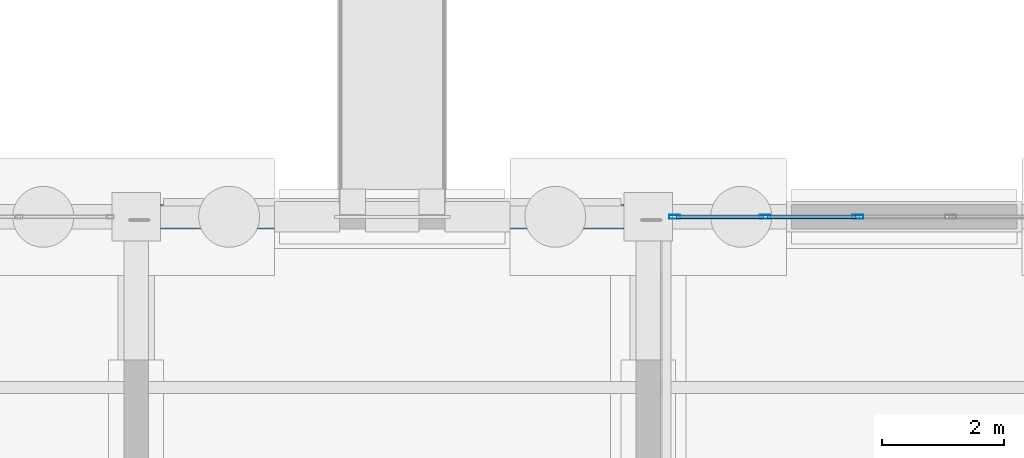
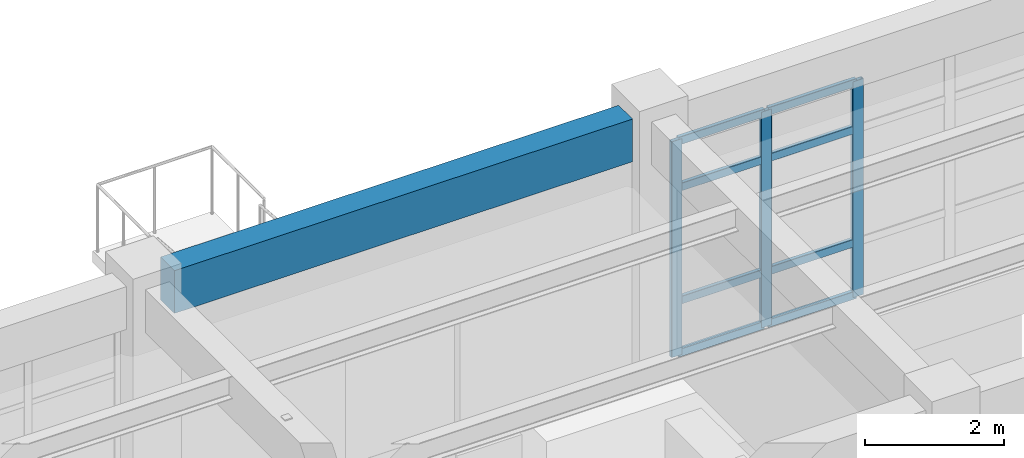
# One storey, part 30 of 111: 11 members, 1 beam, 1 element without a shape of its own.
"""IFC4 building model written with IfcOpenShell, lengths in metres."""

from ifc_helpers import new_model, si_unit, direction, frame, origin, origin_2d, place, context, subcontext, project, spatial, rectangle, hollow_rectangle, extrude, material, material_profile, profile_set, type_object, element, aggregate, save


model = new_model("IFC4")

# Units and contexts
model_context = context("Model", 3, precision=1e-05, world=origin(), true_north=direction((0.0, 1.0)))
body_context = subcontext(model_context, "Body", "Model", "MODEL_VIEW")
ifc_project = project(units=[si_unit("LENGTHUNIT", "METRE"), si_unit("AREAUNIT", "SQUARE_METRE"), si_unit("VOLUMEUNIT", "CUBIC_METRE"), si_unit("PLANEANGLEUNIT", "RADIAN"), si_unit("MASSUNIT", "GRAM", prefix="KILO")], contexts=[model_context])

# Site, building, storey
site_placement = place(None, origin())
site = spatial("IfcSite", under=ifc_project, at=site_placement, CompositionType="ELEMENT")
building_placement = place(site_placement, origin())
building = spatial("IfcBuilding", under=site, at=building_placement, Name="Canglan Escarpment Cableway Terminal", CompositionType="ELEMENT")
storey_placement = place(building_placement, frame((0.0, 0.0, 4.800048828125)))
storey = spatial("IfcBuildingStorey", under=building, at=storey_placement, Name="L01", CompositionType="ELEMENT", Elevation=4.800048828125)

# Curtain wall, members
ifc_material_1 = material(Name="Anodized bronze aluminium and Low-E double glazing", Category="aluminium")
curtain_wall_type = type_object("IfcCurtainWallType", Name="CW-BAY-7600x3775", PredefinedType="NOTDEFINED", material=ifc_material_1)
curtain_wall_placement = place(storey_placement, origin())
curtain_wall = element("IfcCurtainWall", 1, at=curtain_wall_placement, inside=storey, type_object=curtain_wall_type, Name="Classical bay-between-piers glazed curtain wall CW-09", PredefinedType="NOTDEFINED")
ifc_material_2 = material(Name="Thermally broken anodized aluminium 6063-T6", Category="aluminium")
ifc_material_profile_1 = material_profile(ifc_material_2, hollow_rectangle(XDim=0.06494140625, YDim=0.179931640625, WallThickness=0.00390625, InnerFilletRadius=0.00390625, OuterFilletRadius=0.008056640625, at=origin_2d()), Name="ALU-MULL 65x180x4")
ifc_profile_set_1 = profile_set([ifc_material_profile_1], Name="Thermally broken anodized aluminium 6063-T6")
member_type_1 = type_object("IfcMemberType", Name="CWM-03", PredefinedType="MULLION", material=ifc_profile_set_1)
member_1_placement = place(storey_placement, frame((97.239990234375, 24.800048828125, 0.0), z_axis=(0.0, 0.0, 1.0), x_axis=(0.0, -1.0, 0.0)))
member_1 = element("IfcMember", 2, at=member_1_placement, type_object=member_type_1, Name="CW-09 mullion 4", PredefinedType="MULLION", context=body_context, shape_type="SweptSolid", body=[
    extrude(hollow_rectangle(XDim=0.06494140625, YDim=0.179931640625, WallThickness=0.00390625, InnerFilletRadius=0.00390625, OuterFilletRadius=0.008056640625, at=origin_2d()), origin(), (0.0, 0.0, 1.0), 3.784912109375),
])
member_2_placement = place(storey_placement, frame((95.719970703125, 24.800048828125, 0.0), z_axis=(0.0, 0.0, 1.0), x_axis=(0.0, -1.0, 0.0)))
member_2 = element("IfcMember", 3, at=member_2_placement, type_object=member_type_1, Name="CW-09 mullion 5", PredefinedType="MULLION", context=body_context, shape_type="SweptSolid", body=[
    extrude(hollow_rectangle(XDim=0.06494140625, YDim=0.179931640625, WallThickness=0.00390625, InnerFilletRadius=0.00390625, OuterFilletRadius=0.008056640625, at=origin_2d()), origin(), (0.0, 0.0, 1.0), 3.784912109375),
])
member_3_placement = place(storey_placement, frame((94.232421875, 24.800048828125, 0.0), z_axis=(0.0, 0.0, 1.0), x_axis=(0.0, -1.0, 0.0)))
member_3 = element("IfcMember", 4, at=member_3_placement, type_object=member_type_1, Name="CW-09 mullion 6", PredefinedType="MULLION", context=body_context, shape_type="SweptSolid", body=[
    extrude(hollow_rectangle(XDim=0.06494140625, YDim=0.179931640625, WallThickness=0.00390625, InnerFilletRadius=0.00390625, OuterFilletRadius=0.008056640625, at=origin_2d()), origin(), (0.0, 0.0, 1.0), 3.784912109375),
])
ifc_material_profile_2 = material_profile(ifc_material_2, hollow_rectangle(XDim=0.06494140625, YDim=0.139892578125, WallThickness=0.00341796875, InnerFilletRadius=0.00341796875, OuterFilletRadius=0.007080078125, at=origin_2d()), Name="ALU-TRAN 65x140x3.5")
ifc_profile_set_2 = profile_set([ifc_material_profile_2], Name="Thermally broken anodized aluminium 6063-T6")
member_type_2 = type_object("IfcMemberType", Name="CWT-03", PredefinedType="USERDEFINED", material=ifc_profile_set_2)
member_4_placement = place(storey_placement, frame((97.20751953125, 24.800048828125, 0.032470703125), z_axis=(-1.0, 0.0, 0.0), x_axis=(0.0, -1.0, 0.0)))
member_4 = element("IfcMember", 5, at=member_4_placement, type_object=member_type_2, Name="CW-09 transom 4.1", ObjectType="TRANSOM", PredefinedType="USERDEFINED", context=body_context, shape_type="SweptSolid", body=[
    extrude(hollow_rectangle(XDim=0.06494140625, YDim=0.139892578125, WallThickness=0.00341796875, InnerFilletRadius=0.00341796875, OuterFilletRadius=0.007080078125, at=origin_2d()), origin(), (0.0, 0.0, 1.0), 1.455078125),
])
member_5_placement = place(storey_placement, frame((97.20751953125, 24.800048828125, 0.949951171875), z_axis=(-1.0, 0.0, 0.0), x_axis=(0.0, -1.0, 0.0)))
member_5 = element("IfcMember", 6, at=member_5_placement, type_object=member_type_2, Name="CW-09 transom 4.2", ObjectType="TRANSOM", PredefinedType="USERDEFINED", context=body_context, shape_type="SweptSolid", body=[
    extrude(hollow_rectangle(XDim=0.06494140625, YDim=0.139892578125, WallThickness=0.00341796875, InnerFilletRadius=0.00341796875, OuterFilletRadius=0.007080078125, at=origin_2d()), origin(), (0.0, 0.0, 1.0), 1.455078125),
])
member_6_placement = place(storey_placement, frame((97.20751953125, 24.800048828125, 2.93505859375), z_axis=(-1.0, 0.0, 0.0), x_axis=(0.0, -1.0, 0.0)))
member_6 = element("IfcMember", 7, at=member_6_placement, type_object=member_type_2, Name="CW-09 transom 4.3", ObjectType="TRANSOM", PredefinedType="USERDEFINED", context=body_context, shape_type="SweptSolid", body=[
    extrude(hollow_rectangle(XDim=0.06494140625, YDim=0.139892578125, WallThickness=0.00341796875, InnerFilletRadius=0.00341796875, OuterFilletRadius=0.007080078125, at=origin_2d()), origin(), (0.0, 0.0, 1.0), 1.455078125),
])
member_7_placement = place(storey_placement, frame((97.20751953125, 24.800048828125, 3.75244140625), z_axis=(-1.0, 0.0, 0.0), x_axis=(0.0, -1.0, 0.0)))
member_7 = element("IfcMember", 8, at=member_7_placement, type_object=member_type_2, Name="CW-09 transom 4.4", ObjectType="TRANSOM", PredefinedType="USERDEFINED", context=body_context, shape_type="SweptSolid", body=[
    extrude(hollow_rectangle(XDim=0.06494140625, YDim=0.139892578125, WallThickness=0.00341796875, InnerFilletRadius=0.00341796875, OuterFilletRadius=0.007080078125, at=origin_2d()), origin(), (0.0, 0.0, 1.0), 1.455078125),
])
member_8_placement = place(storey_placement, frame((95.6875, 24.800048828125, 0.032470703125), z_axis=(-1.0, 0.0, 0.0), x_axis=(0.0, -1.0, 0.0)))
member_8 = element("IfcMember", 9, at=member_8_placement, type_object=member_type_2, Name="CW-09 transom 5.1", ObjectType="TRANSOM", PredefinedType="USERDEFINED", context=body_context, shape_type="SweptSolid", body=[
    extrude(hollow_rectangle(XDim=0.06494140625, YDim=0.139892578125, WallThickness=0.00341796875, InnerFilletRadius=0.00341796875, OuterFilletRadius=0.007080078125, at=origin_2d()), origin(), (0.0, 0.0, 1.0), 1.422607421875),
])
member_9_placement = place(storey_placement, frame((95.6875, 24.800048828125, 0.949951171875), z_axis=(-1.0, 0.0, 0.0), x_axis=(0.0, -1.0, 0.0)))
member_9 = element("IfcMember", 10, at=member_9_placement, type_object=member_type_2, Name="CW-09 transom 5.2", ObjectType="TRANSOM", PredefinedType="USERDEFINED", context=body_context, shape_type="SweptSolid", body=[
    extrude(hollow_rectangle(XDim=0.06494140625, YDim=0.139892578125, WallThickness=0.00341796875, InnerFilletRadius=0.00341796875, OuterFilletRadius=0.007080078125, at=origin_2d()), origin(), (0.0, 0.0, 1.0), 1.422607421875),
])
member_10_placement = place(storey_placement, frame((95.6875, 24.800048828125, 2.93505859375), z_axis=(-1.0, 0.0, 0.0), x_axis=(0.0, -1.0, 0.0)))
member_10 = element("IfcMember", 11, at=member_10_placement, type_object=member_type_2, Name="CW-09 transom 5.3", ObjectType="TRANSOM", PredefinedType="USERDEFINED", context=body_context, shape_type="SweptSolid", body=[
    extrude(hollow_rectangle(XDim=0.06494140625, YDim=0.139892578125, WallThickness=0.00341796875, InnerFilletRadius=0.00341796875, OuterFilletRadius=0.007080078125, at=origin_2d()), origin(), (0.0, 0.0, 1.0), 1.422607421875),
])
member_11_placement = place(storey_placement, frame((95.6875, 24.800048828125, 3.75244140625), z_axis=(-1.0, 0.0, 0.0), x_axis=(0.0, -1.0, 0.0)))
member_11 = element("IfcMember", 12, at=member_11_placement, type_object=member_type_2, Name="CW-09 transom 5.4", ObjectType="TRANSOM", PredefinedType="USERDEFINED", context=body_context, shape_type="SweptSolid", body=[
    extrude(hollow_rectangle(XDim=0.06494140625, YDim=0.139892578125, WallThickness=0.00341796875, InnerFilletRadius=0.00341796875, OuterFilletRadius=0.007080078125, at=origin_2d()), origin(), (0.0, 0.0, 1.0), 1.422607421875),
])
aggregate(curtain_wall, [member_1, member_2, member_3, member_4, member_5, member_6, member_7, member_8, member_9, member_10, member_11])

# Beam
ifc_material_3 = material(Name="Concrete C40", Category="concrete")
ifc_material_profile_3 = material_profile(ifc_material_3, rectangle(XDim=0.39990234375, YDim=0.75, at=origin_2d()), Name="RC 400x750")
ifc_profile_set_3 = profile_set([ifc_material_profile_3], Name="Concrete C40")
beam_type = type_object("IfcBeamType", Name="SP-RC400x750", PredefinedType="SPANDREL", material=ifc_profile_set_3)
beam_placement = place(storey_placement, frame((85.800048828125, 24.800048828125, 4.175048828125), z_axis=(1.0, 0.0, 0.0), x_axis=(0.0, 1.0, 0.0)))
element("IfcBeam", 13, at=beam_placement, inside=storey, type_object=beam_type, Name="Primary structural girder SP-01", PredefinedType="SPANDREL", context=body_context, shape_type="SweptSolid", body=[
    extrude(rectangle(XDim=0.39990234375, YDim=0.75, at=origin_2d()), origin(), (0.0, 0.0, 1.0), 7.599853515625),
])

save(model, "model.ifc")
